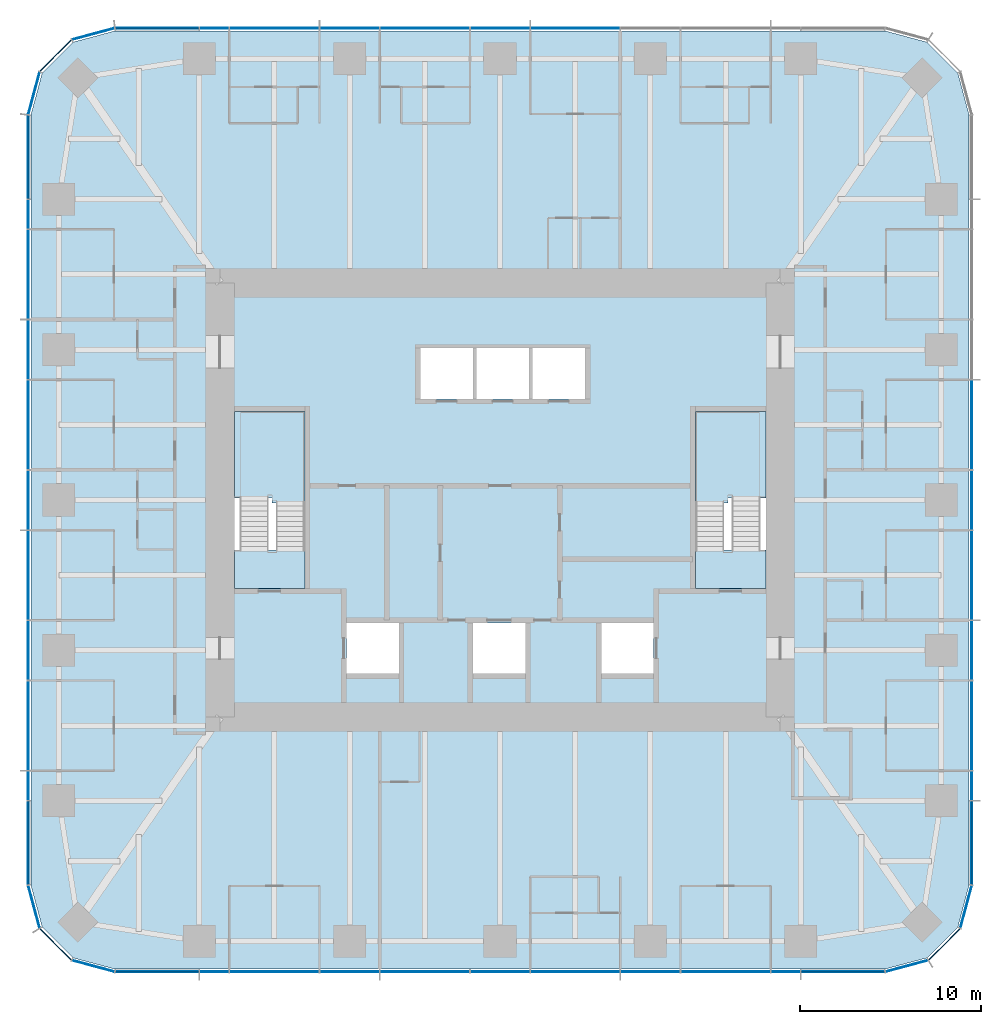
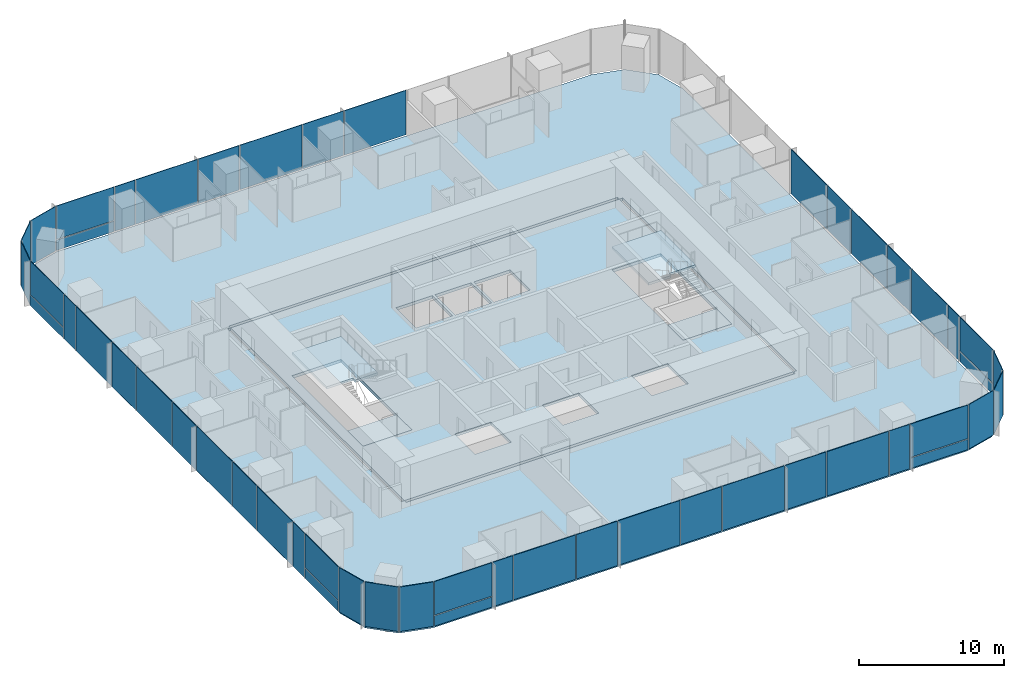
# One storey, part 7 of 12: 51 plates, 6 slabs, 9 elements without a shape of their own.
"""IFC4 building model written with IfcOpenShell, lengths in metres."""

import ifcopenshell
import ifcopenshell.guid

model = None  # the IFC model being written
_history = None  # IfcOwnerHistory: only IFC2X3 demands one
_inside = {}  # id of a spatial element -> (the spatial element, [elements in it])
_under = {}  # id of a project, library or spatial element -> (it, [spatial elements below it])
_declared = {}  # id of a project -> (the project, [libraries it declares])
_typed = {}  # id of a type object -> (the type object, [elements of that type])
_made_of = {}  # id of a material, layer set ... -> (it, [elements and type objects made of it])


def new_model(schema):
    """Start an empty IFC model of exactly this schema.

    Asked for "IFC4X3", IfcOpenShell would pick the latest addendum, in which some entities
    have other attributes; the version numbers below select the first issue.
    IFC2X3 requires an IfcOwnerHistory on every rooted entity: one is made here for all.
    """
    global model, _history
    if schema == "IFC4X3":
        model = ifcopenshell.file(schema_version=(4, 3, 0, 0))
    else:
        model = ifcopenshell.file(schema=schema)
    _inside.clear()
    _under.clear()
    _declared.clear()
    _typed.clear()
    _made_of.clear()
    _history = None
    if model.schema == "IFC2X3":
        org = make("IfcOrganization", Name="unknown")
        user = make(
            "IfcPersonAndOrganization",
            ThePerson=make("IfcPerson", FamilyName="unknown"),
            TheOrganization=org,
        )
        app = make(
            "IfcApplication",
            ApplicationDeveloper=org,
            Version="unknown",
            ApplicationFullName="unknown",
            ApplicationIdentifier="unknown",
        )
        _history = make(
            "IfcOwnerHistory",
            OwningUser=user,
            OwningApplication=app,
            ChangeAction="ADDED",
            CreationDate=0,
        )
    return model


def make(cls, **values):
    """One entity of the class cls with the attributes given. An attribute that is None is left unset."""
    return model.create_entity(
        cls, **{name: value for name, value in values.items() if value is not None}
    )


def rooted(cls, **values):
    """An entity with a GlobalId (a new one), such as an element, a storey or a relation."""
    return make(cls, GlobalId=ifcopenshell.guid.new(), OwnerHistory=_history, **values)


def si_unit(unit_type, name, prefix=None):
    """IfcSIUnit, for example si_unit("LENGTHUNIT", "METRE", prefix="MILLI")."""
    return make("IfcSIUnit", UnitType=unit_type, Prefix=prefix, Name=name)


def assignment(units):
    """IfcUnitAssignment: the units of a project."""
    return None if units is None else make("IfcUnitAssignment", Units=units)


def point(xyz):
    """IfcCartesianPoint."""
    return None if xyz is None else make("IfcCartesianPoint", Coordinates=xyz)


def direction(xyz):
    """IfcDirection."""
    return None if xyz is None else make("IfcDirection", DirectionRatios=xyz)


def frame(location, z_axis=None, x_axis=None):
    """IfcAxis2Placement3D, a coordinate frame: its origin and axes. An axis left out is left unset."""
    return make(
        "IfcAxis2Placement3D",
        Location=point(location),
        Axis=direction(z_axis),
        RefDirection=direction(x_axis),
    )


def frame_2d(location, x_axis=None):
    """IfcAxis2Placement2D, a coordinate frame in the plane: its origin and x axis."""
    return make(
        "IfcAxis2Placement2D", Location=point(location), RefDirection=direction(x_axis)
    )


def origin():
    """The frame at (0, 0, 0) with its axes left unset."""
    return frame((0.0, 0.0, 0.0))


def origin_2d():
    """The frame at (0, 0) in the plane with its x axis left unset."""
    return frame_2d((0.0, 0.0))


def place(relative_to, where):
    """IfcLocalPlacement: puts the frame where relative to a parent placement (None: the world)."""
    return make(
        "IfcLocalPlacement", PlacementRelTo=relative_to, RelativePlacement=where
    )


def context(
    kind, dimensions, precision=None, world=None, true_north=None, identifier=None
):
    """IfcGeometricRepresentationContext, for example the 3D "Model" context."""
    return make(
        "IfcGeometricRepresentationContext",
        ContextIdentifier=identifier,
        ContextType=kind,
        CoordinateSpaceDimension=dimensions,
        Precision=precision,
        WorldCoordinateSystem=world,
        TrueNorth=true_north,
    )


def subcontext(parent, identifier, kind, view, scale=None):
    """IfcGeometricRepresentationSubContext, for example "Body" below "Model"."""
    return make(
        "IfcGeometricRepresentationSubContext",
        ContextIdentifier=identifier,
        ContextType=kind,
        ParentContext=parent,
        TargetScale=scale,
        TargetView=view,
    )


def project(units=None, contexts=None):
    """IfcProject with its units and contexts."""
    return rooted(
        "IfcProject",
        Name="project",
        RepresentationContexts=contexts,
        UnitsInContext=assignment(units),
    )


def spatial(cls, under=None, at=None, **own):
    """A site, building, storey or space (cls), placed at a placement, below another one or the project."""
    s = rooted(cls, ObjectPlacement=at, **own)
    if under is not None:
        _under.setdefault(under.id(), (under, []))[1].append(s)
    return s


def polyline(points):
    """IfcPolyline through the points."""
    return make("IfcPolyline", Points=[point(p) for p in points])


def profile(cls, at=None, kind="AREA", **sizes):
    """A parametric profile (cls). Its sizes go by their IFC names, for example OverallWidth=200.0."""
    return make(cls, ProfileType=kind, Position=at, **sizes)


def rectangle(**sizes):
    """IfcRectangleProfileDef."""
    return profile("IfcRectangleProfileDef", **sizes)


def outline(outer, holes=None, kind="AREA"):
    """IfcArbitraryClosedProfileDef: a profile drawn as a closed curve; with holes, ...WithVoids."""
    if holes is None:
        return make("IfcArbitraryClosedProfileDef", ProfileType=kind, OuterCurve=outer)
    return make(
        "IfcArbitraryProfileDefWithVoids",
        ProfileType=kind,
        OuterCurve=outer,
        InnerCurves=holes,
    )


def extrude(swept, where, along, depth):
    """IfcExtrudedAreaSolid: the profile swept, set in the frame where, extruded along a direction by depth."""
    return make(
        "IfcExtrudedAreaSolid",
        SweptArea=swept,
        Position=where,
        ExtrudedDirection=direction(along),
        Depth=depth,
    )


def shape(context_of_items, identifier, shape_type, items):
    """IfcShapeRepresentation: the items that make up one representation, for example the "Body"."""
    return make(
        "IfcShapeRepresentation",
        ContextOfItems=context_of_items,
        RepresentationIdentifier=identifier,
        RepresentationType=shape_type,
        Items=items,
    )


def material(Name=None, Category=None):
    """IfcMaterial."""
    return make("IfcMaterial", Name=Name, Category=Category)


def layer(
    of_material, thickness, ventilated=None, Name=None, Category=None, Priority=None
):
    """IfcMaterialLayer: one layer of a wall or slab, of a material (None: an air gap)."""
    return make(
        "IfcMaterialLayer",
        Material=of_material,
        LayerThickness=thickness,
        IsVentilated=ventilated,
        Name=Name,
        Category=Category,
        Priority=Priority,
    )


def layer_set(layers, Name=None):
    """IfcMaterialLayerSet."""
    return make("IfcMaterialLayerSet", MaterialLayers=layers, LayerSetName=Name)


def made_of(thing, what):
    """Note that an element or type object is made of a material, layer set ...; save() writes the relation."""
    if what is not None:
        _made_of.setdefault(what.id(), (what, []))[1].append(thing)
    return thing


def type_object(cls, material=None, **own):
    """A type object (cls), such as IfcWallType, which elements share."""
    return made_of(rooted(cls, **own), material)


def element(
    cls,
    number,
    at=None,
    inside=None,
    cuts=None,
    type_object=None,
    material=None,
    context=None,
    identifier="Body",
    shape_type=None,
    held_by="IfcProductDefinitionShape",
    body=None,
    shapes=None,
    **own,
):
    """One element of the class cls, such as IfcWall. Its Tag is "e" and its number.

    at: its placement. inside: the storey or other place that contains it. cuts: it is an
    opening in that element (IfcRelVoidsElement). A single representation is given by context,
    identifier, shape_type and body (its items); several are given by shapes. held_by: the class
    of the entity that holds the representations. save() writes the other relations.
    """
    e = rooted(cls, Tag="e%d" % number, ObjectPlacement=at, **own)
    if body is not None:
        shapes = [shape(context, identifier, shape_type, body)]
    if shapes is not None:
        e.Representation = make(held_by, Representations=shapes)
    if inside is not None:
        _inside.setdefault(inside.id(), (inside, []))[1].append(e)
    if cuts is not None:
        rooted(
            "IfcRelVoidsElement", RelatingBuildingElement=cuts, RelatedOpeningElement=e
        )
    if type_object is not None:
        _typed.setdefault(type_object.id(), (type_object, []))[1].append(e)
    return made_of(e, material)


def aggregate(whole, parts):
    """IfcRelAggregates: a whole, such as a stair, and the parts it consists of."""
    return rooted("IfcRelAggregates", RelatingObject=whole, RelatedObjects=parts)


def save(model, path):
    """Write the relations noted so far, then the file.

    IfcRelAggregates (storeys below a building ...), IfcRelContainedInSpatialStructure (elements
    in a storey), IfcRelDefinesByType, IfcRelAssociatesMaterial and IfcRelDeclares: one each for
    every whole, place, type object, material and project.
    """
    for whole, parts in _under.values():
        aggregate(whole, parts)
    for where, things in _inside.values():
        rooted(
            "IfcRelContainedInSpatialStructure",
            RelatedElements=things,
            RelatingStructure=where,
        )
    for kind, things in _typed.values():
        rooted("IfcRelDefinesByType", RelatedObjects=things, RelatingType=kind)
    for what, things in _made_of.values():
        rooted("IfcRelAssociatesMaterial", RelatedObjects=things, RelatingMaterial=what)
    for by, libraries in _declared.values():
        rooted("IfcRelDeclares", RelatingContext=by, RelatedDefinitions=libraries)
    model.write(path)


model = new_model("IFC4")

# Units and contexts
model_context = context("Model", 3, precision=1e-05, world=origin(), true_north=direction((0.0, 1.0)))
body_context = subcontext(model_context, "Body", "Model", "MODEL_VIEW")
ifc_project = project(units=[si_unit("LENGTHUNIT", "METRE"), si_unit("AREAUNIT", "SQUARE_METRE"), si_unit("VOLUMEUNIT", "CUBIC_METRE"), si_unit("PLANEANGLEUNIT", "RADIAN"), si_unit("MASSUNIT", "GRAM", prefix="KILO")], contexts=[model_context])

# Site, building, storey
site_placement = place(None, origin())
site = spatial("IfcSite", under=ifc_project, at=site_placement, CompositionType="ELEMENT")
building_placement = place(site_placement, origin())
building = spatial("IfcBuilding", under=site, at=building_placement, Name="Khuree Lantern Residences", CompositionType="ELEMENT")
storey_placement = place(building_placement, frame((0.0, 0.0, 237.0)))
storey = spatial("IfcBuildingStorey", under=building, at=storey_placement, Name="L59", CompositionType="ELEMENT", Elevation=237.0)

# Slab
ifc_material_1 = material(Name="Concrete C35/45", Category="concrete")
ifc_layer_1 = layer(ifc_material_1, 0.25)
ifc_layer_set_1 = layer_set([ifc_layer_1], Name="CFL250 CORE FLOOR SLAB 250")
slab_type_1 = type_object("IfcSlabType", Name="CFL250 CORE FLOOR SLAB 250", PredefinedType="FLOOR", material=ifc_layer_set_1)
slab_1_placement = place(storey_placement, frame((0.0, 0.0, -0.25)))
element("IfcSlab", 1, at=slab_1_placement, inside=storey, type_object=slab_type_1, Name="Core floor L59", PredefinedType="FLOOR", context=body_context, shape_type="SweptSolid", body=[
    extrude(outline(polyline([(-15.5, -12.0), (-15.5, 12.0), (15.5, 12.0), (15.5, -12.0), (-15.5, -12.0)]), holes=[polyline([(10.800048828125, 4.89990234375), (10.800048828125, -4.89990234375), (14.699951171875, -4.89990234375), (14.699951171875, 4.89990234375), (10.800048828125, 4.89990234375)]), polyline([(5.60009765625, -6.800048828125), (5.60009765625, -9.60009765625), (8.5, -9.60009765625), (8.5, -6.800048828125), (5.60009765625, -6.800048828125)]), polyline([(1.800048828125, 8.39990234375), (1.800048828125, 5.60009765625), (4.699951171875, 5.60009765625), (4.699951171875, 8.39990234375), (1.800048828125, 8.39990234375)]), polyline([(-1.300048828125, 8.39990234375), (-1.300048828125, 5.60009765625), (1.60009765625, 5.60009765625), (1.60009765625, 8.39990234375), (-1.300048828125, 8.39990234375)]), polyline([(-1.5, -6.800048828125), (-1.5, -9.60009765625), (1.39990234375, -9.60009765625), (1.39990234375, -6.800048828125), (-1.5, -6.800048828125)]), polyline([(-4.39990234375, 8.39990234375), (-4.39990234375, 5.60009765625), (-1.5, 5.60009765625), (-1.5, 8.39990234375), (-4.39990234375, 8.39990234375)]), polyline([(-8.5, -6.800048828125), (-8.5, -9.60009765625), (-5.60009765625, -9.60009765625), (-5.60009765625, -6.800048828125), (-8.5, -6.800048828125)]), polyline([(-14.699951171875, 4.89990234375), (-14.699951171875, -4.89990234375), (-10.800048828125, -4.89990234375), (-10.800048828125, 4.89990234375), (-14.699951171875, 4.89990234375)])]), origin(), (0.0, 0.0, 1.0), 0.25),
])

# Curtain wall, plates
ifc_material_2 = material(Name="Bronze anodised aluminium", Category="aluminium")
curtain_wall_type_1 = type_object("IfcCurtainWallType", Name="CW-T2 TOWER CORNER CURTAIN WALL", PredefinedType="USERDEFINED", material=ifc_material_2)
curtain_wall_1_placement = place(storey_placement, origin())
curtain_wall_1 = element("IfcCurtainWall", 2, at=curtain_wall_1_placement, inside=storey, type_object=curtain_wall_type_1, Name="L59 SOUTH-EAST CORNER CURTAIN WALL", ObjectType="Faceted corner curtain wall", PredefinedType="USERDEFINED")
ifc_material_3 = material(Name="Bronze tinted triple glazing", Category="glass")
ifc_layer_2 = layer(ifc_material_3, 0.048095703125)
ifc_layer_set_2 = layer_set([ifc_layer_2], Name="FACET PANEL P4")
plate_type_1 = type_object("IfcPlateType", Name="FACET PANEL P4", PredefinedType="CURTAIN_PANEL", material=ifc_layer_set_2)
plate_1_placement = place(storey_placement, frame((22.498046875, -25.779052734375, 0.0), z_axis=(0.0, 0.0, 1.0), x_axis=(0.965925832509, 0.258819021888, 0.0)))
plate_1 = element("IfcPlate", 3, at=plate_1_placement, type_object=plate_type_1, Name="L59 SOUTH-EAST CORNER PANEL 1.1", PredefinedType="CURTAIN_PANEL", context=body_context, shape_type="SweptSolid", body=[
    extrude(rectangle(XDim=2.40869140625, YDim=0.048095703125, at=origin_2d()), origin(), (0.0, 0.0, 1.0), 3.75),
])
plate_2_placement = place(storey_placement, frame((24.578369140625, -24.578369140625, 0.0), z_axis=(0.0, 0.0, 1.0), x_axis=(0.707106781187, 0.707106781187, 0.0)))
plate_2 = element("IfcPlate", 4, at=plate_2_placement, type_object=plate_type_1, Name="L59 SOUTH-EAST CORNER PANEL 2.1", PredefinedType="CURTAIN_PANEL", context=body_context, shape_type="SweptSolid", body=[
    extrude(rectangle(XDim=2.404541015625, YDim=0.048095703125, at=origin_2d()), origin(), (0.0, 0.0, 1.0), 3.75),
])
plate_3_placement = place(storey_placement, frame((25.779052734375, -22.498046875, 0.0), z_axis=(0.0, 0.0, 1.0), x_axis=(0.258819021888, 0.965925832509, 0.0)))
plate_3 = element("IfcPlate", 5, at=plate_3_placement, type_object=plate_type_1, Name="L59 SOUTH-EAST CORNER PANEL 3.1", PredefinedType="CURTAIN_PANEL", context=body_context, shape_type="SweptSolid", body=[
    extrude(rectangle(XDim=2.40869140625, YDim=0.048095703125, at=origin_2d()), origin(), (0.0, 0.0, 1.0), 3.75),
])
aggregate(curtain_wall_1, [plate_1, plate_2, plate_3])

curtain_wall_2_placement = place(storey_placement, origin())
curtain_wall_2 = element("IfcCurtainWall", 6, at=curtain_wall_2_placement, inside=storey, type_object=curtain_wall_type_1, Name="L59 NORTH-WEST CORNER CURTAIN WALL", ObjectType="Faceted corner curtain wall", PredefinedType="USERDEFINED")
plate_4_placement = place(storey_placement, frame((-22.498046875, 25.779052734375, 0.0), z_axis=(0.0, 0.0, 1.0), x_axis=(-0.965925832509, -0.258819021888, 0.0)))
plate_4 = element("IfcPlate", 7, at=plate_4_placement, type_object=plate_type_1, Name="L59 NORTH-WEST CORNER PANEL 29.1", PredefinedType="CURTAIN_PANEL", context=body_context, shape_type="SweptSolid", body=[
    extrude(rectangle(XDim=2.40869140625, YDim=0.048095703125, at=origin_2d()), origin(), (0.0, 0.0, 1.0), 3.75),
])
plate_5_placement = place(storey_placement, frame((-24.578369140625, 24.578369140625, 0.0), z_axis=(0.0, 0.0, 1.0), x_axis=(-0.707106781187, -0.707106781187, 0.0)))
plate_5 = element("IfcPlate", 8, at=plate_5_placement, type_object=plate_type_1, Name="L59 NORTH-WEST CORNER PANEL 30.1", PredefinedType="CURTAIN_PANEL", context=body_context, shape_type="SweptSolid", body=[
    extrude(rectangle(XDim=2.404541015625, YDim=0.048095703125, at=origin_2d()), origin(), (0.0, 0.0, 1.0), 3.75),
])
plate_6_placement = place(storey_placement, frame((-25.779052734375, 22.498046875, 0.0), z_axis=(0.0, 0.0, 1.0), x_axis=(-0.258819021888, -0.965925832509, 0.0)))
plate_6 = element("IfcPlate", 9, at=plate_6_placement, type_object=plate_type_1, Name="L59 NORTH-WEST CORNER PANEL 31.1", PredefinedType="CURTAIN_PANEL", context=body_context, shape_type="SweptSolid", body=[
    extrude(rectangle(XDim=2.40869140625, YDim=0.048095703125, at=origin_2d()), origin(), (0.0, 0.0, 1.0), 3.75),
])
aggregate(curtain_wall_2, [plate_4, plate_5, plate_6])

curtain_wall_3_placement = place(storey_placement, origin())
curtain_wall_3 = element("IfcCurtainWall", 10, at=curtain_wall_3_placement, inside=storey, type_object=curtain_wall_type_1, Name="L59 SOUTH-WEST CORNER CURTAIN WALL", ObjectType="Faceted corner curtain wall", PredefinedType="USERDEFINED")
plate_7_placement = place(storey_placement, frame((-25.779052734375, -22.498046875, 0.0), z_axis=(0.0, 0.0, 1.0), x_axis=(0.258819021888, -0.965925832509, 0.0)))
plate_7 = element("IfcPlate", 11, at=plate_7_placement, type_object=plate_type_1, Name="L59 SOUTH-WEST CORNER PANEL 43.1", PredefinedType="CURTAIN_PANEL", context=body_context, shape_type="SweptSolid", body=[
    extrude(rectangle(XDim=2.40869140625, YDim=0.048095703125, at=origin_2d()), origin(), (0.0, 0.0, 1.0), 3.75),
])
plate_8_placement = place(storey_placement, frame((-24.578369140625, -24.578369140625, 0.0), z_axis=(0.0, 0.0, 1.0), x_axis=(0.707106781187, -0.707106781187, 0.0)))
plate_8 = element("IfcPlate", 12, at=plate_8_placement, type_object=plate_type_1, Name="L59 SOUTH-WEST CORNER PANEL 44.1", PredefinedType="CURTAIN_PANEL", context=body_context, shape_type="SweptSolid", body=[
    extrude(rectangle(XDim=2.404541015625, YDim=0.048095703125, at=origin_2d()), origin(), (0.0, 0.0, 1.0), 3.75),
])
plate_9_placement = place(storey_placement, frame((-22.498046875, -25.779052734375, 0.0), z_axis=(0.0, 0.0, 1.0), x_axis=(0.965925832509, -0.258819021888, 0.0)))
plate_9 = element("IfcPlate", 13, at=plate_9_placement, type_object=plate_type_1, Name="L59 SOUTH-WEST CORNER PANEL 45.1", PredefinedType="CURTAIN_PANEL", context=body_context, shape_type="SweptSolid", body=[
    extrude(rectangle(XDim=2.40869140625, YDim=0.048095703125, at=origin_2d()), origin(), (0.0, 0.0, 1.0), 3.75),
])
aggregate(curtain_wall_3, [plate_7, plate_8, plate_9])

curtain_wall_type_2 = type_object("IfcCurtainWallType", Name="CW-T1 TOWER FACE CURTAIN WALL", PredefinedType="USERDEFINED", material=ifc_material_2)
curtain_wall_4_placement = place(storey_placement, origin())
curtain_wall_4 = element("IfcCurtainWall", 14, at=curtain_wall_4_placement, inside=storey, type_object=curtain_wall_type_2, Name="L59 EAST FACE CURTAIN WALL", ObjectType="Stick-built curtain wall", PredefinedType="USERDEFINED")
ifc_material_4 = material(Name="Bronze tinted triple glazing with a ceramic-fritted spandrel band", Category="glass")
ifc_layer_3 = layer(ifc_material_4, 0.048095703125)
ifc_layer_set_3 = layer_set([ifc_layer_3], Name="FIXED LIGHT PANEL P11")
plate_type_2 = type_object("IfcPlateType", Name="FIXED LIGHT PANEL P11", PredefinedType="CURTAIN_PANEL", material=ifc_layer_set_3)
plate_10_placement = place(storey_placement, frame((26.10009765625, -12.47998046875, 0.0), z_axis=(0.0, 0.0, 1.0), x_axis=(0.0, 1.0, 0.0)))
plate_10 = element("IfcPlate", 15, at=plate_10_placement, type_object=plate_type_2, Name="L59 EAST FACE PANEL 6.1", PredefinedType="CURTAIN_PANEL", context=body_context, shape_type="SweptSolid", body=[
    extrude(rectangle(XDim=4.927001953125, YDim=0.048095703125, at=origin_2d()), origin(), (0.0, 0.0, 1.0), 3.75),
])
plate_11_placement = place(storey_placement, frame((26.10009765625, -4.159912109375, 0.0), z_axis=(0.0, 0.0, 1.0), x_axis=(0.0, 1.0, 0.0)))
plate_11 = element("IfcPlate", 16, at=plate_11_placement, type_object=plate_type_2, Name="L59 EAST FACE PANEL 8.1", PredefinedType="CURTAIN_PANEL", context=body_context, shape_type="SweptSolid", body=[
    extrude(rectangle(XDim=4.927001953125, YDim=0.048095703125, at=origin_2d()), origin(), (0.0, 0.0, 1.0), 3.75),
])
plate_12_placement = place(storey_placement, frame((26.10009765625, 4.159912109375, 0.0), z_axis=(0.0, 0.0, 1.0), x_axis=(0.0, 1.0, 0.0)))
plate_12 = element("IfcPlate", 17, at=plate_12_placement, type_object=plate_type_2, Name="L59 EAST FACE PANEL 10.1", PredefinedType="CURTAIN_PANEL", context=body_context, shape_type="SweptSolid", body=[
    extrude(rectangle(XDim=4.927001953125, YDim=0.048095703125, at=origin_2d()), origin(), (0.0, 0.0, 1.0), 3.75),
])

curtain_wall_5_placement = place(storey_placement, origin())
curtain_wall_5 = element("IfcCurtainWall", 18, at=curtain_wall_5_placement, inside=storey, type_object=curtain_wall_type_2, Name="L59 NORTH FACE CURTAIN WALL", ObjectType="Stick-built curtain wall", PredefinedType="USERDEFINED")
plate_13_placement = place(storey_placement, frame((4.159912109375, 26.10009765625, 0.0), z_axis=(0.0, 0.0, 1.0), x_axis=(-1.0, 0.0, 0.0)))
plate_13 = element("IfcPlate", 19, at=plate_13_placement, type_object=plate_type_2, Name="L59 NORTH FACE PANEL 22.1", PredefinedType="CURTAIN_PANEL", context=body_context, shape_type="SweptSolid", body=[
    extrude(rectangle(XDim=4.927001953125, YDim=0.048095703125, at=origin_2d()), origin(), (0.0, 0.0, 1.0), 3.75),
])
plate_14_placement = place(storey_placement, frame((-4.159912109375, 26.10009765625, 0.0), z_axis=(0.0, 0.0, 1.0), x_axis=(-1.0, 0.0, 0.0)))
plate_14 = element("IfcPlate", 20, at=plate_14_placement, type_object=plate_type_2, Name="L59 NORTH FACE PANEL 24.1", PredefinedType="CURTAIN_PANEL", context=body_context, shape_type="SweptSolid", body=[
    extrude(rectangle(XDim=4.927001953125, YDim=0.048095703125, at=origin_2d()), origin(), (0.0, 0.0, 1.0), 3.75),
])
plate_15_placement = place(storey_placement, frame((-12.47998046875, 26.10009765625, 0.0), z_axis=(0.0, 0.0, 1.0), x_axis=(-1.0, 0.0, 0.0)))
plate_15 = element("IfcPlate", 21, at=plate_15_placement, type_object=plate_type_2, Name="L59 NORTH FACE PANEL 26.1", PredefinedType="CURTAIN_PANEL", context=body_context, shape_type="SweptSolid", body=[
    extrude(rectangle(XDim=4.927001953125, YDim=0.048095703125, at=origin_2d()), origin(), (0.0, 0.0, 1.0), 3.75),
])

curtain_wall_6_placement = place(storey_placement, origin())
curtain_wall_6 = element("IfcCurtainWall", 22, at=curtain_wall_6_placement, inside=storey, type_object=curtain_wall_type_2, Name="L59 WEST FACE CURTAIN WALL", ObjectType="Stick-built curtain wall", PredefinedType="USERDEFINED")
plate_16_placement = place(storey_placement, frame((-26.10009765625, 12.47998046875, 0.0), z_axis=(0.0, 0.0, 1.0), x_axis=(0.0, -1.0, 0.0)))
plate_16 = element("IfcPlate", 23, at=plate_16_placement, type_object=plate_type_2, Name="L59 WEST FACE PANEL 34.1", PredefinedType="CURTAIN_PANEL", context=body_context, shape_type="SweptSolid", body=[
    extrude(rectangle(XDim=4.927001953125, YDim=0.048095703125, at=origin_2d()), origin(), (0.0, 0.0, 1.0), 3.75),
])
plate_17_placement = place(storey_placement, frame((-26.10009765625, 4.159912109375, 0.0), z_axis=(0.0, 0.0, 1.0), x_axis=(0.0, -1.0, 0.0)))
plate_17 = element("IfcPlate", 24, at=plate_17_placement, type_object=plate_type_2, Name="L59 WEST FACE PANEL 36.1", PredefinedType="CURTAIN_PANEL", context=body_context, shape_type="SweptSolid", body=[
    extrude(rectangle(XDim=4.927001953125, YDim=0.048095703125, at=origin_2d()), origin(), (0.0, 0.0, 1.0), 3.75),
])
plate_18_placement = place(storey_placement, frame((-26.10009765625, -4.159912109375, 0.0), z_axis=(0.0, 0.0, 1.0), x_axis=(0.0, -1.0, 0.0)))
plate_18 = element("IfcPlate", 25, at=plate_18_placement, type_object=plate_type_2, Name="L59 WEST FACE PANEL 38.1", PredefinedType="CURTAIN_PANEL", context=body_context, shape_type="SweptSolid", body=[
    extrude(rectangle(XDim=4.927001953125, YDim=0.048095703125, at=origin_2d()), origin(), (0.0, 0.0, 1.0), 3.75),
])
plate_19_placement = place(storey_placement, frame((-26.10009765625, -12.47998046875, 0.0), z_axis=(0.0, 0.0, 1.0), x_axis=(0.0, -1.0, 0.0)))
plate_19 = element("IfcPlate", 26, at=plate_19_placement, type_object=plate_type_2, Name="L59 WEST FACE PANEL 40.1", PredefinedType="CURTAIN_PANEL", context=body_context, shape_type="SweptSolid", body=[
    extrude(rectangle(XDim=4.927001953125, YDim=0.048095703125, at=origin_2d()), origin(), (0.0, 0.0, 1.0), 3.75),
])

curtain_wall_7_placement = place(storey_placement, origin())
curtain_wall_7 = element("IfcCurtainWall", 27, at=curtain_wall_7_placement, inside=storey, type_object=curtain_wall_type_2, Name="L59 SOUTH FACE CURTAIN WALL", ObjectType="Stick-built curtain wall", PredefinedType="USERDEFINED")
plate_20_placement = place(storey_placement, frame((-12.47998046875, -26.10009765625, 0.0), z_axis=(0.0, 0.0, 1.0), x_axis=(1.0, 0.0, 0.0)))
plate_20 = element("IfcPlate", 28, at=plate_20_placement, type_object=plate_type_2, Name="L59 SOUTH FACE PANEL 48.1", PredefinedType="CURTAIN_PANEL", context=body_context, shape_type="SweptSolid", body=[
    extrude(rectangle(XDim=4.927001953125, YDim=0.048095703125, at=origin_2d()), origin(), (0.0, 0.0, 1.0), 3.75),
])
plate_21_placement = place(storey_placement, frame((-4.159912109375, -26.10009765625, 0.0), z_axis=(0.0, 0.0, 1.0), x_axis=(1.0, 0.0, 0.0)))
plate_21 = element("IfcPlate", 29, at=plate_21_placement, type_object=plate_type_2, Name="L59 SOUTH FACE PANEL 50.1", PredefinedType="CURTAIN_PANEL", context=body_context, shape_type="SweptSolid", body=[
    extrude(rectangle(XDim=4.927001953125, YDim=0.048095703125, at=origin_2d()), origin(), (0.0, 0.0, 1.0), 3.75),
])
plate_22_placement = place(storey_placement, frame((4.159912109375, -26.10009765625, 0.0), z_axis=(0.0, 0.0, 1.0), x_axis=(1.0, 0.0, 0.0)))
plate_22 = element("IfcPlate", 30, at=plate_22_placement, type_object=plate_type_2, Name="L59 SOUTH FACE PANEL 52.1", PredefinedType="CURTAIN_PANEL", context=body_context, shape_type="SweptSolid", body=[
    extrude(rectangle(XDim=4.927001953125, YDim=0.048095703125, at=origin_2d()), origin(), (0.0, 0.0, 1.0), 3.75),
])
plate_23_placement = place(storey_placement, frame((12.47998046875, -26.10009765625, 0.0), z_axis=(0.0, 0.0, 1.0), x_axis=(1.0, 0.0, 0.0)))
plate_23 = element("IfcPlate", 31, at=plate_23_placement, type_object=plate_type_2, Name="L59 SOUTH FACE PANEL 54.1", PredefinedType="CURTAIN_PANEL", context=body_context, shape_type="SweptSolid", body=[
    extrude(rectangle(XDim=4.927001953125, YDim=0.048095703125, at=origin_2d()), origin(), (0.0, 0.0, 1.0), 3.75),
])

# Slab
ifc_layer_4 = layer(ifc_material_1, 0.25)
ifc_layer_set_4 = layer_set([ifc_layer_4], Name="FS250 FLOOR SLAB 250")
slab_type_2 = type_object("IfcSlabType", Name="FS250 FLOOR SLAB 250", PredefinedType="FLOOR", material=ifc_layer_set_4)
slab_2_placement = place(storey_placement, frame((0.0, 0.0, -0.25)))
element("IfcSlab", 32, at=slab_2_placement, inside=storey, type_object=slab_type_2, Name="Floor slab L59", PredefinedType="FLOOR", context=body_context, shape_type="SweptSolid", body=[
    extrude(outline(polyline([(-23.625, -25.326904296875), (-25.326904296875, -23.625), (-25.949951171875, -21.300048828125), (-25.949951171875, 21.300048828125), (-25.326904296875, 23.625), (-23.625, 25.326904296875), (-21.300048828125, 25.949951171875), (21.300048828125, 25.949951171875), (23.625, 25.326904296875), (25.326904296875, 23.625), (25.949951171875, 21.300048828125), (25.949951171875, -21.300048828125), (25.326904296875, -23.625), (23.625, -25.326904296875), (21.300048828125, -25.949951171875), (-21.300048828125, -25.949951171875), (-23.625, -25.326904296875)]), holes=[polyline([(15.75, 12.0), (15.5, 12.0), (15.5, 12.25), (-15.5, 12.25), (-15.5, 12.0), (-15.75, 12.0), (-15.75, -12.0), (-15.5, -12.0), (-15.5, -12.25), (15.5, -12.25), (15.5, -12.0), (15.75, -12.0), (15.75, 12.0)])]), origin(), (0.0, 0.0, 1.0), 0.25),
])

# Plate
ifc_material_5 = material(Name="Bronze tinted triple glazing, two aluminium-framed sashes in one frame", Category="aluminium")
ifc_layer_5 = layer(ifc_material_5, 0.048095703125)
ifc_layer_set_5 = layer_set([ifc_layer_5], Name="SASH PAIR PANEL P12")
plate_type_3 = type_object("IfcPlateType", Name="SASH PAIR PANEL P12", PredefinedType="CURTAIN_PANEL", material=ifc_layer_set_5)
plate_24_placement = place(storey_placement, frame((26.10009765625, -8.320068359375, 0.0), z_axis=(0.0, 0.0, 1.0), x_axis=(0.0, 1.0, 0.0)))
plate_24 = element("IfcPlate", 33, at=plate_24_placement, type_object=plate_type_3, Name="L59 EAST FACE PANEL 7.1", PredefinedType="CURTAIN_PANEL", context=body_context, shape_type="SweptSolid", body=[
    extrude(rectangle(XDim=3.262939453125, YDim=0.048095703125, at=origin_2d()), origin(), (0.0, 0.0, 1.0), 3.75),
])

plate_25_placement = place(storey_placement, frame((26.10009765625, 0.0, 0.0), z_axis=(0.0, 0.0, 1.0), x_axis=(0.0, 1.0, 0.0)))
plate_25 = element("IfcPlate", 34, at=plate_25_placement, type_object=plate_type_3, Name="L59 EAST FACE PANEL 9.1", PredefinedType="CURTAIN_PANEL", context=body_context, shape_type="SweptSolid", body=[
    extrude(rectangle(XDim=3.262939453125, YDim=0.048095703125, at=origin_2d()), origin(), (0.0, 0.0, 1.0), 3.75),
])

plate_26_placement = place(storey_placement, frame((0.0, 26.10009765625, 0.0), z_axis=(0.0, 0.0, 1.0), x_axis=(-1.0, 0.0, 0.0)))
plate_26 = element("IfcPlate", 35, at=plate_26_placement, type_object=plate_type_3, Name="L59 NORTH FACE PANEL 23.1", PredefinedType="CURTAIN_PANEL", context=body_context, shape_type="SweptSolid", body=[
    extrude(rectangle(XDim=3.262939453125, YDim=0.048095703125, at=origin_2d()), origin(), (0.0, 0.0, 1.0), 3.75),
])

plate_27_placement = place(storey_placement, frame((-8.320068359375, 26.10009765625, 0.0), z_axis=(0.0, 0.0, 1.0), x_axis=(-1.0, 0.0, 0.0)))
plate_27 = element("IfcPlate", 36, at=plate_27_placement, type_object=plate_type_3, Name="L59 NORTH FACE PANEL 25.1", PredefinedType="CURTAIN_PANEL", context=body_context, shape_type="SweptSolid", body=[
    extrude(rectangle(XDim=3.262939453125, YDim=0.048095703125, at=origin_2d()), origin(), (0.0, 0.0, 1.0), 3.75),
])

plate_28_placement = place(storey_placement, frame((-26.10009765625, 8.320068359375, 0.0), z_axis=(0.0, 0.0, 1.0), x_axis=(0.0, -1.0, 0.0)))
plate_28 = element("IfcPlate", 37, at=plate_28_placement, type_object=plate_type_3, Name="L59 WEST FACE PANEL 35.1", PredefinedType="CURTAIN_PANEL", context=body_context, shape_type="SweptSolid", body=[
    extrude(rectangle(XDim=3.262939453125, YDim=0.048095703125, at=origin_2d()), origin(), (0.0, 0.0, 1.0), 3.75),
])

plate_29_placement = place(storey_placement, frame((-26.10009765625, 0.0, 0.0), z_axis=(0.0, 0.0, 1.0), x_axis=(0.0, -1.0, 0.0)))
plate_29 = element("IfcPlate", 38, at=plate_29_placement, type_object=plate_type_3, Name="L59 WEST FACE PANEL 37.1", PredefinedType="CURTAIN_PANEL", context=body_context, shape_type="SweptSolid", body=[
    extrude(rectangle(XDim=3.262939453125, YDim=0.048095703125, at=origin_2d()), origin(), (0.0, 0.0, 1.0), 3.75),
])

plate_30_placement = place(storey_placement, frame((-26.10009765625, -8.320068359375, 0.0), z_axis=(0.0, 0.0, 1.0), x_axis=(0.0, -1.0, 0.0)))
plate_30 = element("IfcPlate", 39, at=plate_30_placement, type_object=plate_type_3, Name="L59 WEST FACE PANEL 39.1", PredefinedType="CURTAIN_PANEL", context=body_context, shape_type="SweptSolid", body=[
    extrude(rectangle(XDim=3.262939453125, YDim=0.048095703125, at=origin_2d()), origin(), (0.0, 0.0, 1.0), 3.75),
])

plate_31_placement = place(storey_placement, frame((-8.320068359375, -26.10009765625, 0.0), z_axis=(0.0, 0.0, 1.0), x_axis=(1.0, 0.0, 0.0)))
plate_31 = element("IfcPlate", 40, at=plate_31_placement, type_object=plate_type_3, Name="L59 SOUTH FACE PANEL 49.1", PredefinedType="CURTAIN_PANEL", context=body_context, shape_type="SweptSolid", body=[
    extrude(rectangle(XDim=3.262939453125, YDim=0.048095703125, at=origin_2d()), origin(), (0.0, 0.0, 1.0), 3.75),
])

plate_32_placement = place(storey_placement, frame((0.0, -26.10009765625, 0.0), z_axis=(0.0, 0.0, 1.0), x_axis=(1.0, 0.0, 0.0)))
plate_32 = element("IfcPlate", 41, at=plate_32_placement, type_object=plate_type_3, Name="L59 SOUTH FACE PANEL 51.1", PredefinedType="CURTAIN_PANEL", context=body_context, shape_type="SweptSolid", body=[
    extrude(rectangle(XDim=3.262939453125, YDim=0.048095703125, at=origin_2d()), origin(), (0.0, 0.0, 1.0), 3.75),
])

plate_33_placement = place(storey_placement, frame((8.320068359375, -26.10009765625, 0.0), z_axis=(0.0, 0.0, 1.0), x_axis=(1.0, 0.0, 0.0)))
plate_33 = element("IfcPlate", 42, at=plate_33_placement, type_object=plate_type_3, Name="L59 SOUTH FACE PANEL 53.1", PredefinedType="CURTAIN_PANEL", context=body_context, shape_type="SweptSolid", body=[
    extrude(rectangle(XDim=3.262939453125, YDim=0.048095703125, at=origin_2d()), origin(), (0.0, 0.0, 1.0), 3.75),
])

ifc_material_6 = material(Name="Bronze tinted triple glazing, aluminium-framed sash", Category="aluminium")
ifc_layer_6 = layer(ifc_material_6, 0.048095703125)
ifc_layer_set_6 = layer_set([ifc_layer_6], Name="SASH PANEL P3")
plate_type_4 = type_object("IfcPlateType", Name="SASH PANEL P3", PredefinedType="CURTAIN_PANEL", material=ifc_layer_set_6)
plate_34_placement = place(storey_placement, frame((26.10009765625, -15.80810546875, 0.0), z_axis=(0.0, 0.0, 1.0), x_axis=(0.0, 1.0, 0.0)))
plate_34 = element("IfcPlate", 43, at=plate_34_placement, type_object=plate_type_4, Name="L59 EAST FACE PANEL 5.1", PredefinedType="CURTAIN_PANEL", context=body_context, shape_type="SweptSolid", body=[
    extrude(rectangle(XDim=1.59912109375, YDim=0.048095703125, at=origin_2d()), origin(), (0.0, 0.0, 1.0), 3.75),
])

plate_35_placement = place(storey_placement, frame((-15.80810546875, 26.10009765625, 0.0), z_axis=(0.0, 0.0, 1.0), x_axis=(-1.0, 0.0, 0.0)))
plate_35 = element("IfcPlate", 44, at=plate_35_placement, type_object=plate_type_4, Name="L59 NORTH FACE PANEL 27.1", PredefinedType="CURTAIN_PANEL", context=body_context, shape_type="SweptSolid", body=[
    extrude(rectangle(XDim=1.59912109375, YDim=0.048095703125, at=origin_2d()), origin(), (0.0, 0.0, 1.0), 3.75),
])

plate_36_placement = place(storey_placement, frame((-26.10009765625, 15.80810546875, 0.0), z_axis=(0.0, 0.0, 1.0), x_axis=(0.0, -1.0, 0.0)))
plate_36 = element("IfcPlate", 45, at=plate_36_placement, type_object=plate_type_4, Name="L59 WEST FACE PANEL 33.1", PredefinedType="CURTAIN_PANEL", context=body_context, shape_type="SweptSolid", body=[
    extrude(rectangle(XDim=1.59912109375, YDim=0.048095703125, at=origin_2d()), origin(), (0.0, 0.0, 1.0), 3.75),
])

plate_37_placement = place(storey_placement, frame((-26.10009765625, -15.80810546875, 0.0), z_axis=(0.0, 0.0, 1.0), x_axis=(0.0, -1.0, 0.0)))
plate_37 = element("IfcPlate", 46, at=plate_37_placement, type_object=plate_type_4, Name="L59 WEST FACE PANEL 41.1", PredefinedType="CURTAIN_PANEL", context=body_context, shape_type="SweptSolid", body=[
    extrude(rectangle(XDim=1.59912109375, YDim=0.048095703125, at=origin_2d()), origin(), (0.0, 0.0, 1.0), 3.75),
])

plate_38_placement = place(storey_placement, frame((-15.80810546875, -26.10009765625, 0.0), z_axis=(0.0, 0.0, 1.0), x_axis=(1.0, 0.0, 0.0)))
plate_38 = element("IfcPlate", 47, at=plate_38_placement, type_object=plate_type_4, Name="L59 SOUTH FACE PANEL 47.1", PredefinedType="CURTAIN_PANEL", context=body_context, shape_type="SweptSolid", body=[
    extrude(rectangle(XDim=1.59912109375, YDim=0.048095703125, at=origin_2d()), origin(), (0.0, 0.0, 1.0), 3.75),
])

plate_39_placement = place(storey_placement, frame((15.80810546875, -26.10009765625, 0.0), z_axis=(0.0, 0.0, 1.0), x_axis=(1.0, 0.0, 0.0)))
plate_39 = element("IfcPlate", 48, at=plate_39_placement, type_object=plate_type_4, Name="L59 SOUTH FACE PANEL 55.1", PredefinedType="CURTAIN_PANEL", context=body_context, shape_type="SweptSolid", body=[
    extrude(rectangle(XDim=1.59912109375, YDim=0.048095703125, at=origin_2d()), origin(), (0.0, 0.0, 1.0), 3.75),
])

ifc_material_7 = material(Name="Bronze anodised aluminium insulated spandrel", Category="aluminium")
ifc_layer_7 = layer(ifc_material_7, 0.06005859375)
ifc_layer_set_7 = layer_set([ifc_layer_7], Name="SPANDREL PANEL P2")
plate_type_5 = type_object("IfcPlateType", Name="SPANDREL PANEL P2", PredefinedType="CURTAIN_PANEL", material=ifc_layer_set_7)
plate_40_placement = place(storey_placement, frame((26.10009765625, -18.9677734375, 0.0), z_axis=(0.0, 0.0, 1.0), x_axis=(0.0, 1.0, 0.0)))
plate_40 = element("IfcPlate", 49, at=plate_40_placement, type_object=plate_type_5, Name="L59 EAST FACE PANEL 4.1", PredefinedType="CURTAIN_PANEL", context=body_context, shape_type="SweptSolid", body=[
    extrude(rectangle(XDim=4.5908203125, YDim=0.06005859375, at=origin_2d()), origin(), (0.0, 0.0, 1.0), 0.867431640625),
])

plate_41_placement = place(storey_placement, frame((-18.9677734375, 26.10009765625, 0.0), z_axis=(0.0, 0.0, 1.0), x_axis=(-1.0, 0.0, 0.0)))
plate_41 = element("IfcPlate", 50, at=plate_41_placement, type_object=plate_type_5, Name="L59 NORTH FACE PANEL 28.1", PredefinedType="CURTAIN_PANEL", context=body_context, shape_type="SweptSolid", body=[
    extrude(rectangle(XDim=4.5908203125, YDim=0.06005859375, at=origin_2d()), origin(), (0.0, 0.0, 1.0), 0.867431640625),
])

plate_42_placement = place(storey_placement, frame((-26.10009765625, 18.9677734375, 0.0), z_axis=(0.0, 0.0, 1.0), x_axis=(0.0, -1.0, 0.0)))
plate_42 = element("IfcPlate", 51, at=plate_42_placement, type_object=plate_type_5, Name="L59 WEST FACE PANEL 32.1", PredefinedType="CURTAIN_PANEL", context=body_context, shape_type="SweptSolid", body=[
    extrude(rectangle(XDim=4.5908203125, YDim=0.06005859375, at=origin_2d()), origin(), (0.0, 0.0, 1.0), 0.867431640625),
])

plate_43_placement = place(storey_placement, frame((-26.10009765625, -18.9677734375, 0.0), z_axis=(0.0, 0.0, 1.0), x_axis=(0.0, -1.0, 0.0)))
plate_43 = element("IfcPlate", 52, at=plate_43_placement, type_object=plate_type_5, Name="L59 WEST FACE PANEL 42.1", PredefinedType="CURTAIN_PANEL", context=body_context, shape_type="SweptSolid", body=[
    extrude(rectangle(XDim=4.5908203125, YDim=0.06005859375, at=origin_2d()), origin(), (0.0, 0.0, 1.0), 0.867431640625),
])

plate_44_placement = place(storey_placement, frame((-18.9677734375, -26.10009765625, 0.0), z_axis=(0.0, 0.0, 1.0), x_axis=(1.0, 0.0, 0.0)))
plate_44 = element("IfcPlate", 53, at=plate_44_placement, type_object=plate_type_5, Name="L59 SOUTH FACE PANEL 46.1", PredefinedType="CURTAIN_PANEL", context=body_context, shape_type="SweptSolid", body=[
    extrude(rectangle(XDim=4.5908203125, YDim=0.06005859375, at=origin_2d()), origin(), (0.0, 0.0, 1.0), 0.867431640625),
])

plate_45_placement = place(storey_placement, frame((18.9677734375, -26.10009765625, 0.0), z_axis=(0.0, 0.0, 1.0), x_axis=(1.0, 0.0, 0.0)))
plate_45 = element("IfcPlate", 54, at=plate_45_placement, type_object=plate_type_5, Name="L59 SOUTH FACE PANEL 56.1", PredefinedType="CURTAIN_PANEL", context=body_context, shape_type="SweptSolid", body=[
    extrude(rectangle(XDim=4.5908203125, YDim=0.06005859375, at=origin_2d()), origin(), (0.0, 0.0, 1.0), 0.867431640625),
])

# Stair, slabs
ifc_material_8 = material(Name="Concrete C40/50", Category="concrete")
stair_type = type_object("IfcStairType", Name="STAIR ST1 HALF TURN 3600", PredefinedType="HALF_TURN_STAIR", material=ifc_material_8)
stair_1_placement = place(storey_placement, origin())
stair_1 = element("IfcStair", 55, at=stair_1_placement, inside=storey, type_object=stair_type, Name="Stair ST1", PredefinedType="HALF_TURN_STAIR")
ifc_layer_8 = layer(ifc_material_8, 0.199951171875)
ifc_layer_set_8 = layer_set([ifc_layer_8], Name="STAIR LANDING SL1 200")
slab_type_3 = type_object("IfcSlabType", Name="STAIR LANDING SL1 200", PredefinedType="LANDING", material=ifc_layer_set_8)
slab_3_placement = place(storey_placement, frame((0.0, 0.0, -0.199951171875)))
slab_3 = element("IfcSlab", 56, at=slab_3_placement, type_object=slab_type_3, Name="ST1 landing 1", PredefinedType="LANDING", context=body_context, shape_type="SweptSolid", body=[
    extrude(outline(polyline([(-14.699951171875, -4.89990234375), (-10.800048828125, -4.89990234375), (-10.800048828125, -2.760009765625), (-14.699951171875, -2.760009765625), (-14.699951171875, -4.89990234375)])), origin(), (0.0, 0.0, 1.0), 0.199951171875),
])
slab_4_placement = place(storey_placement, frame((0.0, 0.0, 1.756591796875)))
slab_4 = element("IfcSlab", 57, at=slab_4_placement, type_object=slab_type_3, Name="ST1 landing 2", PredefinedType="LANDING", context=body_context, shape_type="SweptSolid", body=[
    extrude(outline(polyline([(-14.699951171875, 0.1201171875), (-14.699951171875, 4.89990234375), (-10.800048828125, 4.89990234375), (-10.800048828125, -0.159912109375), (-12.60009765625, -0.159912109375), (-12.60009765625, 0.1201171875), (-14.699951171875, 0.1201171875)])), origin(), (0.0, 0.0, 1.0), 0.199951171875),
])
aggregate(stair_1, [slab_3, slab_4])

stair_2_placement = place(storey_placement, origin())
stair_2 = element("IfcStair", 58, at=stair_2_placement, inside=storey, type_object=stair_type, Name="Stair ST2", PredefinedType="HALF_TURN_STAIR")
slab_5_placement = place(storey_placement, frame((0.0, 0.0, -0.199951171875)))
slab_5 = element("IfcSlab", 59, at=slab_5_placement, type_object=slab_type_3, Name="ST2 landing 1", PredefinedType="LANDING", context=body_context, shape_type="SweptSolid", body=[
    extrude(outline(polyline([(10.800048828125, -4.89990234375), (14.699951171875, -4.89990234375), (14.699951171875, -2.760009765625), (10.800048828125, -2.760009765625), (10.800048828125, -4.89990234375)])), origin(), (0.0, 0.0, 1.0), 0.199951171875),
])
slab_6_placement = place(storey_placement, frame((0.0, 0.0, 1.756591796875)))
slab_6 = element("IfcSlab", 60, at=slab_6_placement, type_object=slab_type_3, Name="ST2 landing 2", PredefinedType="LANDING", context=body_context, shape_type="SweptSolid", body=[
    extrude(outline(polyline([(14.699951171875, 4.89990234375), (14.699951171875, 0.1201171875), (12.60009765625, 0.1201171875), (12.60009765625, -0.159912109375), (10.800048828125, -0.159912109375), (10.800048828125, 4.89990234375), (14.699951171875, 4.89990234375)])), origin(), (0.0, 0.0, 1.0), 0.199951171875),
])
aggregate(stair_2, [slab_5, slab_6])

# Plate
ifc_layer_9 = layer(ifc_material_3, 0.048095703125)
ifc_layer_set_9 = layer_set([ifc_layer_9], Name="VISION PANEL P1")
plate_type_6 = type_object("IfcPlateType", Name="VISION PANEL P1", PredefinedType="CURTAIN_PANEL", material=ifc_layer_set_9)
plate_46_placement = place(storey_placement, frame((26.10009765625, -18.96826171875, 0.9326171875), z_axis=(0.0, 0.0, 1.0), x_axis=(0.0, 1.0, 0.0)))
plate_46 = element("IfcPlate", 61, at=plate_46_placement, type_object=plate_type_6, Name="L59 EAST FACE PANEL 4.2", PredefinedType="CURTAIN_PANEL", context=body_context, shape_type="SweptSolid", body=[
    extrude(rectangle(XDim=4.591552734375, YDim=0.048095703125, at=origin_2d()), origin(), (0.0, 0.0, 1.0), 2.8173828125),
])

aggregate(curtain_wall_4, [plate_40, plate_46, plate_34, plate_10, plate_24, plate_11, plate_25, plate_12])

plate_47_placement = place(storey_placement, frame((-18.96826171875, 26.10009765625, 0.9326171875), z_axis=(0.0, 0.0, 1.0), x_axis=(-1.0, 0.0, 0.0)))
plate_47 = element("IfcPlate", 62, at=plate_47_placement, type_object=plate_type_6, Name="L59 NORTH FACE PANEL 28.2", PredefinedType="CURTAIN_PANEL", context=body_context, shape_type="SweptSolid", body=[
    extrude(rectangle(XDim=4.591552734375, YDim=0.048095703125, at=origin_2d()), origin(), (0.0, 0.0, 1.0), 2.8173828125),
])

aggregate(curtain_wall_5, [plate_13, plate_26, plate_14, plate_27, plate_15, plate_35, plate_41, plate_47])

plate_48_placement = place(storey_placement, frame((-26.10009765625, 18.96826171875, 0.9326171875), z_axis=(0.0, 0.0, 1.0), x_axis=(0.0, -1.0, 0.0)))
plate_48 = element("IfcPlate", 63, at=plate_48_placement, type_object=plate_type_6, Name="L59 WEST FACE PANEL 32.2", PredefinedType="CURTAIN_PANEL", context=body_context, shape_type="SweptSolid", body=[
    extrude(rectangle(XDim=4.591552734375, YDim=0.048095703125, at=origin_2d()), origin(), (0.0, 0.0, 1.0), 2.8173828125),
])

plate_49_placement = place(storey_placement, frame((-26.10009765625, -18.96826171875, 0.9326171875), z_axis=(0.0, 0.0, 1.0), x_axis=(0.0, -1.0, 0.0)))
plate_49 = element("IfcPlate", 64, at=plate_49_placement, type_object=plate_type_6, Name="L59 WEST FACE PANEL 42.2", PredefinedType="CURTAIN_PANEL", context=body_context, shape_type="SweptSolid", body=[
    extrude(rectangle(XDim=4.591552734375, YDim=0.048095703125, at=origin_2d()), origin(), (0.0, 0.0, 1.0), 2.8173828125),
])

aggregate(curtain_wall_6, [plate_42, plate_48, plate_36, plate_16, plate_28, plate_17, plate_29, plate_18, plate_30, plate_19, plate_37, plate_43, plate_49])

plate_50_placement = place(storey_placement, frame((-18.96826171875, -26.10009765625, 0.9326171875), z_axis=(0.0, 0.0, 1.0), x_axis=(1.0, 0.0, 0.0)))
plate_50 = element("IfcPlate", 65, at=plate_50_placement, type_object=plate_type_6, Name="L59 SOUTH FACE PANEL 46.2", PredefinedType="CURTAIN_PANEL", context=body_context, shape_type="SweptSolid", body=[
    extrude(rectangle(XDim=4.591552734375, YDim=0.048095703125, at=origin_2d()), origin(), (0.0, 0.0, 1.0), 2.8173828125),
])

plate_51_placement = place(storey_placement, frame((18.96826171875, -26.10009765625, 0.9326171875), z_axis=(0.0, 0.0, 1.0), x_axis=(1.0, 0.0, 0.0)))
plate_51 = element("IfcPlate", 66, at=plate_51_placement, type_object=plate_type_6, Name="L59 SOUTH FACE PANEL 56.2", PredefinedType="CURTAIN_PANEL", context=body_context, shape_type="SweptSolid", body=[
    extrude(rectangle(XDim=4.591552734375, YDim=0.048095703125, at=origin_2d()), origin(), (0.0, 0.0, 1.0), 2.8173828125),
])

aggregate(curtain_wall_7, [plate_44, plate_50, plate_38, plate_20, plate_31, plate_21, plate_32, plate_22, plate_33, plate_23, plate_39, plate_45, plate_51])

save(model, "model.ifc")
